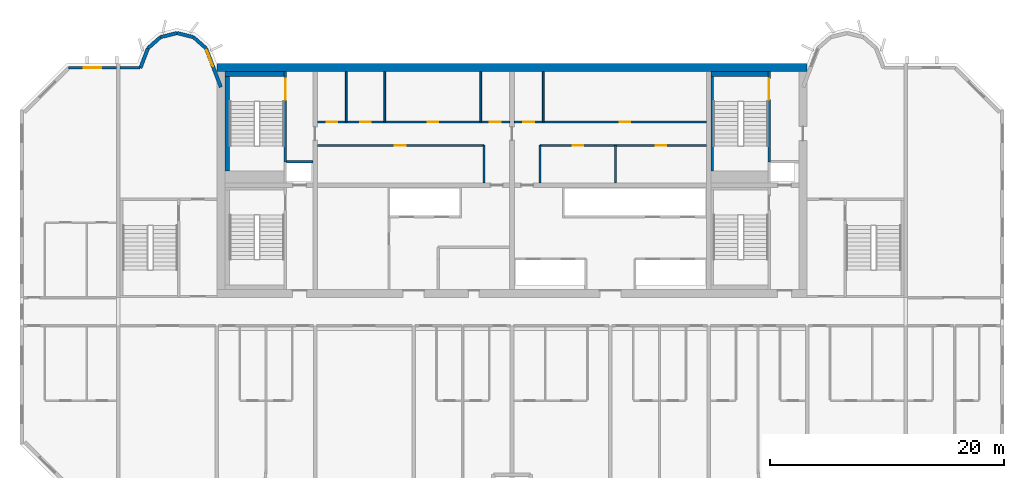
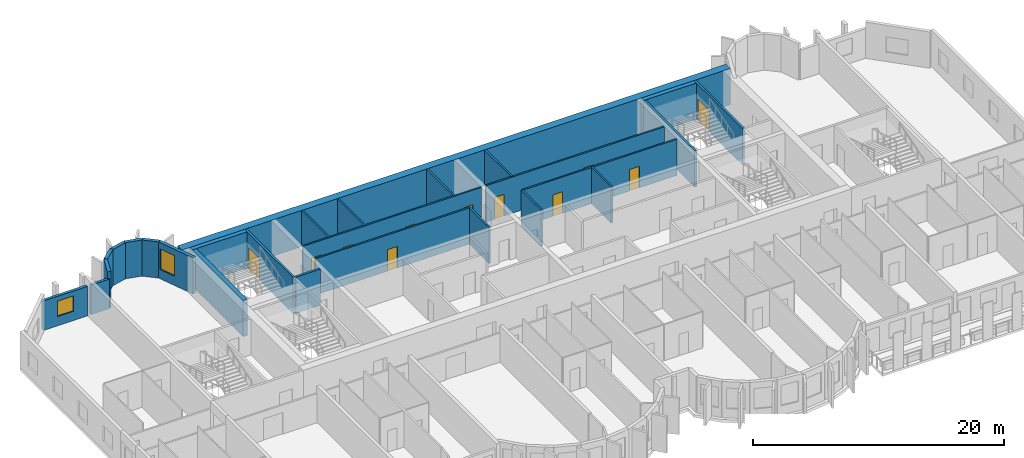
# One storey, part 7 of 13: 27 walls, 11 doors, 2 windows, 13 openings.
"""IFC4 building model written with IfcOpenShell, lengths in metres."""

import ifcopenshell
import ifcopenshell.guid

model = None  # the IFC model being written
_history = None  # IfcOwnerHistory: only IFC2X3 demands one
_inside = {}  # id of a spatial element -> (the spatial element, [elements in it])
_under = {}  # id of a project, library or spatial element -> (it, [spatial elements below it])
_declared = {}  # id of a project -> (the project, [libraries it declares])
_typed = {}  # id of a type object -> (the type object, [elements of that type])
_made_of = {}  # id of a material, layer set ... -> (it, [elements and type objects made of it])


def new_model(schema):
    """Start an empty IFC model of exactly this schema.

    Asked for "IFC4X3", IfcOpenShell would pick the latest addendum, in which some entities
    have other attributes; the version numbers below select the first issue.
    IFC2X3 requires an IfcOwnerHistory on every rooted entity: one is made here for all.
    """
    global model, _history
    if schema == "IFC4X3":
        model = ifcopenshell.file(schema_version=(4, 3, 0, 0))
    else:
        model = ifcopenshell.file(schema=schema)
    _inside.clear()
    _under.clear()
    _declared.clear()
    _typed.clear()
    _made_of.clear()
    _history = None
    if model.schema == "IFC2X3":
        org = make("IfcOrganization", Name="unknown")
        user = make(
            "IfcPersonAndOrganization",
            ThePerson=make("IfcPerson", FamilyName="unknown"),
            TheOrganization=org,
        )
        app = make(
            "IfcApplication",
            ApplicationDeveloper=org,
            Version="unknown",
            ApplicationFullName="unknown",
            ApplicationIdentifier="unknown",
        )
        _history = make(
            "IfcOwnerHistory",
            OwningUser=user,
            OwningApplication=app,
            ChangeAction="ADDED",
            CreationDate=0,
        )
    return model


def make(cls, **values):
    """One entity of the class cls with the attributes given. An attribute that is None is left unset."""
    return model.create_entity(
        cls, **{name: value for name, value in values.items() if value is not None}
    )


def rooted(cls, **values):
    """An entity with a GlobalId (a new one), such as an element, a storey or a relation."""
    return make(cls, GlobalId=ifcopenshell.guid.new(), OwnerHistory=_history, **values)


def si_unit(unit_type, name, prefix=None):
    """IfcSIUnit, for example si_unit("LENGTHUNIT", "METRE", prefix="MILLI")."""
    return make("IfcSIUnit", UnitType=unit_type, Prefix=prefix, Name=name)


def assignment(units):
    """IfcUnitAssignment: the units of a project."""
    return None if units is None else make("IfcUnitAssignment", Units=units)


def point(xyz):
    """IfcCartesianPoint."""
    return None if xyz is None else make("IfcCartesianPoint", Coordinates=xyz)


def direction(xyz):
    """IfcDirection."""
    return None if xyz is None else make("IfcDirection", DirectionRatios=xyz)


def frame(location, z_axis=None, x_axis=None):
    """IfcAxis2Placement3D, a coordinate frame: its origin and axes. An axis left out is left unset."""
    return make(
        "IfcAxis2Placement3D",
        Location=point(location),
        Axis=direction(z_axis),
        RefDirection=direction(x_axis),
    )


def frame_2d(location, x_axis=None):
    """IfcAxis2Placement2D, a coordinate frame in the plane: its origin and x axis."""
    return make(
        "IfcAxis2Placement2D", Location=point(location), RefDirection=direction(x_axis)
    )


def origin():
    """The frame at (0, 0, 0) with its axes left unset."""
    return frame((0.0, 0.0, 0.0))


def place(relative_to, where):
    """IfcLocalPlacement: puts the frame where relative to a parent placement (None: the world)."""
    return make(
        "IfcLocalPlacement", PlacementRelTo=relative_to, RelativePlacement=where
    )


def context(
    kind, dimensions, precision=None, world=None, true_north=None, identifier=None
):
    """IfcGeometricRepresentationContext, for example the 3D "Model" context."""
    return make(
        "IfcGeometricRepresentationContext",
        ContextIdentifier=identifier,
        ContextType=kind,
        CoordinateSpaceDimension=dimensions,
        Precision=precision,
        WorldCoordinateSystem=world,
        TrueNorth=true_north,
    )


def subcontext(parent, identifier, kind, view, scale=None):
    """IfcGeometricRepresentationSubContext, for example "Body" below "Model"."""
    return make(
        "IfcGeometricRepresentationSubContext",
        ContextIdentifier=identifier,
        ContextType=kind,
        ParentContext=parent,
        TargetScale=scale,
        TargetView=view,
    )


def project(units=None, contexts=None):
    """IfcProject with its units and contexts."""
    return rooted(
        "IfcProject",
        Name="project",
        RepresentationContexts=contexts,
        UnitsInContext=assignment(units),
    )


def spatial(cls, under=None, at=None, **own):
    """A site, building, storey or space (cls), placed at a placement, below another one or the project."""
    s = rooted(cls, ObjectPlacement=at, **own)
    if under is not None:
        _under.setdefault(under.id(), (under, []))[1].append(s)
    return s


def profile(cls, at=None, kind="AREA", **sizes):
    """A parametric profile (cls). Its sizes go by their IFC names, for example OverallWidth=200.0."""
    return make(cls, ProfileType=kind, Position=at, **sizes)


def rectangle(**sizes):
    """IfcRectangleProfileDef."""
    return profile("IfcRectangleProfileDef", **sizes)


def extrude(swept, where, along, depth):
    """IfcExtrudedAreaSolid: the profile swept, set in the frame where, extruded along a direction by depth."""
    return make(
        "IfcExtrudedAreaSolid",
        SweptArea=swept,
        Position=where,
        ExtrudedDirection=direction(along),
        Depth=depth,
    )


def shape(context_of_items, identifier, shape_type, items):
    """IfcShapeRepresentation: the items that make up one representation, for example the "Body"."""
    return make(
        "IfcShapeRepresentation",
        ContextOfItems=context_of_items,
        RepresentationIdentifier=identifier,
        RepresentationType=shape_type,
        Items=items,
    )


def source(mapping_origin, context_of_items, identifier, shape_type, items):
    """IfcRepresentationMap: a shape defined once, which mapped items show again and again."""
    return make(
        "IfcRepresentationMap",
        MappingOrigin=mapping_origin,
        MappedRepresentation=shape(context_of_items, identifier, shape_type, items),
    )


def transform(
    local_origin,
    x_axis=None,
    y_axis=None,
    z_axis=None,
    scale=None,
    scale2=None,
    scale3=None,
    uniform=True,
):
    """IfcCartesianTransformationOperator3D, or its non-uniform kind. x_axis, y_axis, z_axis: its Axis1, 2, 3."""
    if uniform:
        return make(
            "IfcCartesianTransformationOperator3D",
            Axis1=direction(x_axis),
            Axis2=direction(y_axis),
            LocalOrigin=point(local_origin),
            Scale=scale,
            Axis3=direction(z_axis),
        )
    return make(
        "IfcCartesianTransformationOperator3DnonUniform",
        Axis1=direction(x_axis),
        Axis2=direction(y_axis),
        LocalOrigin=point(local_origin),
        Scale=scale,
        Axis3=direction(z_axis),
        Scale2=scale2,
        Scale3=scale3,
    )


def mapped(mapping_source, mapping_target):
    """IfcMappedItem: shows the shape of a source again, moved by a transform."""
    return make(
        "IfcMappedItem", MappingSource=mapping_source, MappingTarget=mapping_target
    )


def material(Name=None, Category=None):
    """IfcMaterial."""
    return make("IfcMaterial", Name=Name, Category=Category)


def layer(
    of_material, thickness, ventilated=None, Name=None, Category=None, Priority=None
):
    """IfcMaterialLayer: one layer of a wall or slab, of a material (None: an air gap)."""
    return make(
        "IfcMaterialLayer",
        Material=of_material,
        LayerThickness=thickness,
        IsVentilated=ventilated,
        Name=Name,
        Category=Category,
        Priority=Priority,
    )


def layer_set(layers, Name=None):
    """IfcMaterialLayerSet."""
    return make("IfcMaterialLayerSet", MaterialLayers=layers, LayerSetName=Name)


def made_of(thing, what):
    """Note that an element or type object is made of a material, layer set ...; save() writes the relation."""
    if what is not None:
        _made_of.setdefault(what.id(), (what, []))[1].append(thing)
    return thing


def type_object(cls, material=None, **own):
    """A type object (cls), such as IfcWallType, which elements share."""
    return made_of(rooted(cls, **own), material)


def element(
    cls,
    number,
    at=None,
    inside=None,
    cuts=None,
    type_object=None,
    material=None,
    context=None,
    identifier="Body",
    shape_type=None,
    held_by="IfcProductDefinitionShape",
    body=None,
    shapes=None,
    **own,
):
    """One element of the class cls, such as IfcWall. Its Tag is "e" and its number.

    at: its placement. inside: the storey or other place that contains it. cuts: it is an
    opening in that element (IfcRelVoidsElement). A single representation is given by context,
    identifier, shape_type and body (its items); several are given by shapes. held_by: the class
    of the entity that holds the representations. save() writes the other relations.
    """
    e = rooted(cls, Tag="e%d" % number, ObjectPlacement=at, **own)
    if body is not None:
        shapes = [shape(context, identifier, shape_type, body)]
    if shapes is not None:
        e.Representation = make(held_by, Representations=shapes)
    if inside is not None:
        _inside.setdefault(inside.id(), (inside, []))[1].append(e)
    if cuts is not None:
        rooted(
            "IfcRelVoidsElement", RelatingBuildingElement=cuts, RelatedOpeningElement=e
        )
    if type_object is not None:
        _typed.setdefault(type_object.id(), (type_object, []))[1].append(e)
    return made_of(e, material)


def fill(opening, filler):
    """IfcRelFillsElement: the door or window that sits in an opening."""
    return rooted(
        "IfcRelFillsElement",
        RelatingOpeningElement=opening,
        RelatedBuildingElement=filler,
    )


def aggregate(whole, parts):
    """IfcRelAggregates: a whole, such as a stair, and the parts it consists of."""
    return rooted("IfcRelAggregates", RelatingObject=whole, RelatedObjects=parts)


def save(model, path):
    """Write the relations noted so far, then the file.

    IfcRelAggregates (storeys below a building ...), IfcRelContainedInSpatialStructure (elements
    in a storey), IfcRelDefinesByType, IfcRelAssociatesMaterial and IfcRelDeclares: one each for
    every whole, place, type object, material and project.
    """
    for whole, parts in _under.values():
        aggregate(whole, parts)
    for where, things in _inside.values():
        rooted(
            "IfcRelContainedInSpatialStructure",
            RelatedElements=things,
            RelatingStructure=where,
        )
    for kind, things in _typed.values():
        rooted("IfcRelDefinesByType", RelatedObjects=things, RelatingType=kind)
    for what, things in _made_of.values():
        rooted("IfcRelAssociatesMaterial", RelatedObjects=things, RelatingMaterial=what)
    for by, libraries in _declared.values():
        rooted("IfcRelDeclares", RelatingContext=by, RelatedDefinitions=libraries)
    model.write(path)


model = new_model("IFC4")

# Units and contexts
model_context = context("Model", 3, precision=1e-05, world=origin(), true_north=direction((0.0, 1.0)))
body_context = subcontext(model_context, "Body", "Model", "MODEL_VIEW")
ifc_project = project(units=[si_unit("LENGTHUNIT", "METRE"), si_unit("AREAUNIT", "SQUARE_METRE"), si_unit("VOLUMEUNIT", "CUBIC_METRE"), si_unit("PLANEANGLEUNIT", "RADIAN"), si_unit("MASSUNIT", "GRAM", prefix="KILO")], contexts=[model_context])

# Site, building, storey
site_placement = place(None, origin())
site = spatial("IfcSite", under=ifc_project, at=site_placement, CompositionType="ELEMENT")
building_placement = place(site_placement, origin())
building = spatial("IfcBuilding", under=site, at=building_placement, Name="Vanashikhar Sky Hotel", CompositionType="ELEMENT")
storey_placement = place(building_placement, frame((0.0, 0.0, 159.199951171875)))
storey = spatial("IfcBuildingStorey", under=building, at=storey_placement, Name="L38", CompositionType="ELEMENT", Elevation=159.199951171875)

# Wall
ifc_material_1 = material(Name="Concrete M60", Category="concrete")
ifc_layer_1 = layer(ifc_material_1, 0.699951171875)
ifc_layer_set_1 = layer_set([ifc_layer_1], Name="RC core shell wall 700 Concrete M60")
wall_type_1 = type_object("IfcWallType", Name="RC core shell wall 700 Concrete M60", PredefinedType="SHEAR", material=ifc_layer_set_1)
shared_shape_1 = source(origin(), body_context, "Body", "SweptSolid", [
    extrude(rectangle(XDim=50.400146484375, YDim=0.699951171875, at=frame_2d((25.2001953125, 0.0))), origin(), (0.0, 0.0, 1.0), 3.52001953125),
])
wall_1_placement = place(storey_placement, frame((25.199951171875, 41.64990234375, 0.0), z_axis=(0.0, 0.0, 1.0), x_axis=(1.0, 0.0, 0.0)))
element("IfcWall", 1, at=wall_1_placement, inside=storey, type_object=wall_type_1, Name="KW-L38-KN", PredefinedType="SHEAR", context=body_context, shape_type="MappedRepresentation", body=[
    mapped(shared_shape_1, transform((0.0, 0.0, 0.0), scale=1.0)),
])

# Wall, opening, window
ifc_material_2 = material(Name="Concrete M50", Category="concrete")
ifc_layer_2 = layer(ifc_material_2, 0.300048828125)
ifc_layer_set_2 = layer_set([ifc_layer_2], Name="Lobe wall 300")
wall_type_2 = type_object("IfcWallType", Name="Lobe wall 300", PredefinedType="SOLIDWALL", material=ifc_layer_set_2)
shared_shape_2 = source(origin(), body_context, "Body", "SweptSolid", [
    extrude(rectangle(XDim=3.55908203125, YDim=0.300048828125, at=frame_2d((1.779541015625, 0.0))), origin(), (0.0, 0.0, 1.0), 3.52001953125),
])
wall_2_placement = place(storey_placement, frame((25.550048828125, 39.968505859375, 0.0), z_axis=(0.0, 0.0, 1.0), x_axis=(-0.35779745313, 0.933799219604, 0.0)))
wall_2 = element("IfcWall", 2, at=wall_2_placement, inside=storey, type_object=wall_type_2, Name="Lobe wall", PredefinedType="SOLIDWALL", context=body_context, shape_type="MappedRepresentation", body=[
    mapped(shared_shape_2, transform((0.0, 0.0, 0.0), scale=1.0)),
])
shared_shape_3 = source(origin(), body_context, "Body", "SweptSolid", [
    extrude(rectangle(XDim=1.5, YDim=2.0, at=frame_2d((0.75, 1.0))), frame((0.0, 0.16015625, 0.0), z_axis=(0.0, -1.0, 0.0), x_axis=(1.0, 0.0, 0.0)), (0.0, 0.0, 1.0), 0.320068359375),
])
opening_1_placement = place(wall_2_placement, frame((1.9033203125, 0.0, 0.89990234375)))
opening_1 = element("IfcOpeningElement", 3, at=opening_1_placement, cuts=wall_2, Name="Opening WN-2", PredefinedType="OPENING", context=body_context, shape_type="MappedRepresentation", body=[
    mapped(shared_shape_3, transform((0.0, 0.0, 0.0), scale=1.0)),
])
ifc_material_3 = material(Name="Glass", Category="glass")
window_type_1 = type_object("IfcWindowType", Name="Lobe window 1500 x 2000", PartitioningType="SINGLE_PANEL", PredefinedType="WINDOW", material=ifc_material_3)
shared_shape_4 = source(origin(), body_context, "Body", "SweptSolid", [
    extrude(rectangle(XDim=1.5, YDim=2.0, at=frame_2d((0.75, 1.0))), frame((0.0, 0.030029296875, 0.0), z_axis=(0.0, -1.0, 0.0), x_axis=(1.0, 0.0, 0.0)), (0.0, 0.0, 1.0), 0.06005859375),
])
window_1_placement = place(opening_1_placement, origin())
window_1 = element("IfcWindow", 4, at=window_1_placement, inside=storey, type_object=window_type_1, Name="Window WN-2", OverallHeight=2.0, OverallWidth=1.5, PartitioningType="SINGLE_PANEL", PredefinedType="WINDOW", context=body_context, shape_type="MappedRepresentation", body=[
    mapped(shared_shape_4, transform((0.0, 0.0, 0.0), scale=1.0)),
])
fill(opening_1, window_1)

# Walls
shared_shape_5 = source(origin(), body_context, "Body", "SweptSolid", [
    extrude(rectangle(XDim=1.440185546875, YDim=0.300048828125, at=frame_2d((0.72021484375, 0.0))), origin(), (0.0, 0.0, 1.0), 3.52001953125),
])
wall_3_placement = place(storey_placement, frame((24.276611328125, 43.2919921875, 0.0), z_axis=(0.0, 0.0, 1.0), x_axis=(-0.749649827867, 0.661834673902, 0.0)))
element("IfcWall", 5, at=wall_3_placement, inside=storey, type_object=wall_type_2, Name="Lobe wall", PredefinedType="SOLIDWALL", context=body_context, shape_type="MappedRepresentation", body=[
    mapped(shared_shape_5, transform((0.0, 0.0, 0.0), scale=1.0)),
])
shared_shape_6 = source(origin(), body_context, "Body", "SweptSolid", [
    extrude(rectangle(XDim=1.4384765625, YDim=0.300048828125, at=frame_2d((0.71923828125, 0.0))), origin(), (0.0, 0.0, 1.0), 3.52001953125),
])
wall_4_placement = place(storey_placement, frame((23.197021484375, 44.2451171875, 0.0), z_axis=(0.0, 0.0, 1.0), x_axis=(-0.971152283879, 0.238460146601, 0.0)))
element("IfcWall", 6, at=wall_4_placement, inside=storey, type_object=wall_type_2, Name="Lobe wall", PredefinedType="SOLIDWALL", context=body_context, shape_type="MappedRepresentation", body=[
    mapped(shared_shape_6, transform((0.0, 0.0, 0.0), scale=1.0)),
])
shared_shape_7 = source(origin(), body_context, "Body", "SweptSolid", [
    extrude(rectangle(XDim=1.438720703125, YDim=0.300048828125, at=frame_2d((0.71923828125, 0.0))), origin(), (0.0, 0.0, 1.0), 3.52001953125),
])
wall_5_placement = place(storey_placement, frame((21.800048828125, 44.588134765625, 0.0), z_axis=(0.0, 0.0, 1.0), x_axis=(-0.971161932466, -0.238420848351, 0.0)))
element("IfcWall", 7, at=wall_5_placement, inside=storey, type_object=wall_type_2, Name="Lobe wall", PredefinedType="SOLIDWALL", context=body_context, shape_type="MappedRepresentation", body=[
    mapped(shared_shape_7, transform((0.0, 0.0, 0.0), scale=1.0)),
])
shared_shape_8 = source(origin(), body_context, "Body", "SweptSolid", [
    extrude(rectangle(XDim=1.43994140625, YDim=0.300048828125, at=frame_2d((0.719970703125, 0.0))), origin(), (0.0, 0.0, 1.0), 3.52001953125),
])
wall_6_placement = place(storey_placement, frame((20.40283203125, 44.2451171875, 0.0), z_axis=(0.0, 0.0, 1.0), x_axis=(-0.74957555648, -0.661918790432, 0.0)))
element("IfcWall", 8, at=wall_6_placement, inside=storey, type_object=wall_type_2, Name="Lobe wall", PredefinedType="SOLIDWALL", context=body_context, shape_type="MappedRepresentation", body=[
    mapped(shared_shape_8, transform((0.0, 0.0, 0.0), scale=1.0)),
])
shared_shape_9 = source(origin(), body_context, "Body", "SweptSolid", [
    extrude(rectangle(XDim=1.81201171875, YDim=0.300048828125, at=frame_2d((0.906005859375, 0.0))), origin(), (0.0, 0.0, 1.0), 3.52001953125),
])
wall_7_placement = place(storey_placement, frame((19.323486328125, 43.2919921875, 0.0), z_axis=(0.0, 0.0, 1.0), x_axis=(-0.357877270961, -0.93376863244, 0.0)))
element("IfcWall", 9, at=wall_7_placement, inside=storey, type_object=wall_type_2, Name="Lobe wall", PredefinedType="SOLIDWALL", context=body_context, shape_type="MappedRepresentation", body=[
    mapped(shared_shape_9, transform((0.0, 0.0, 0.0), scale=1.0)),
])

# Wall, opening, window
ifc_layer_3 = layer(ifc_material_2, 0.25)
ifc_layer_set_3 = layer_set([ifc_layer_3], Name="Rear and end board-marked wall 250")
wall_type_3 = type_object("IfcWallType", Name="Rear and end board-marked wall 250", PredefinedType="SOLIDWALL", material=ifc_layer_set_3)
shared_shape_10 = source(origin(), body_context, "Body", "SweptSolid", [
    extrude(rectangle(XDim=4.094482421875, YDim=0.25, at=frame_2d((2.04736328125, 0.0))), origin(), (0.0, 0.0, 1.0), 2.8701171875),
])
wall_8_placement = place(storey_placement, frame((16.64990234375, 41.625, 0.0), z_axis=(0.0, 0.0, 1.0), x_axis=(-1.0, 0.0, 0.0)))
wall_8 = element("IfcWall", 10, at=wall_8_placement, inside=storey, type_object=wall_type_3, Name="Rear board-marked wall", PredefinedType="SOLIDWALL", context=body_context, shape_type="MappedRepresentation", body=[
    mapped(shared_shape_10, transform((0.0, 0.0, 0.0), scale=1.0)),
])
shared_shape_11 = source(origin(), body_context, "Body", "SweptSolid", [
    extrude(rectangle(XDim=1.5, YDim=1.5, at=frame_2d((0.75, 0.75))), frame((0.0, 0.135009765625, 0.0), z_axis=(0.0, -1.0, 0.0), x_axis=(1.0, 0.0, 0.0)), (0.0, 0.0, 1.0), 0.27001953125),
])
opening_2_placement = place(wall_8_placement, frame((1.29736328125, 0.0, 0.89990234375)))
opening_2 = element("IfcOpeningElement", 11, at=opening_2_placement, cuts=wall_8, Name="Opening WN-1", PredefinedType="OPENING", context=body_context, shape_type="MappedRepresentation", body=[
    mapped(shared_shape_11, transform((0.0, 0.0, 0.0), scale=1.0)),
])
window_type_2 = type_object("IfcWindowType", Name="Window 1500 x 1500", PartitioningType="SINGLE_PANEL", PredefinedType="WINDOW", material=ifc_material_3)
shared_shape_12 = source(origin(), body_context, "Body", "SweptSolid", [
    extrude(rectangle(XDim=1.5, YDim=1.5, at=frame_2d((0.75, 0.75))), frame((0.0, 0.030029296875, 0.0), z_axis=(0.0, -1.0, 0.0), x_axis=(1.0, 0.0, 0.0)), (0.0, 0.0, 1.0), 0.06005859375),
])
window_2_placement = place(opening_2_placement, origin())
window_2 = element("IfcWindow", 12, at=window_2_placement, inside=storey, type_object=window_type_2, Name="Window WN-1", OverallHeight=1.5, OverallWidth=1.5, PartitioningType="SINGLE_PANEL", PredefinedType="WINDOW", context=body_context, shape_type="MappedRepresentation", body=[
    mapped(shared_shape_12, transform((0.0, 0.0, 0.0), scale=1.0)),
])
fill(opening_2, window_2)

# Walls
shared_shape_13 = source(origin(), body_context, "Body", "SweptSolid", [
    extrude(rectangle(XDim=1.7080078125, YDim=0.25, at=frame_2d((0.85400390625, 0.0))), origin(), (0.0, 0.0, 1.0), 2.8701171875),
])
wall_9_placement = place(storey_placement, frame((18.657958984375, 41.625, 0.0), z_axis=(0.0, 0.0, 1.0), x_axis=(-1.0, 0.0, 0.0)))
element("IfcWall", 13, at=wall_9_placement, inside=storey, type_object=wall_type_3, Name="Rear board-marked wall", PredefinedType="SOLIDWALL", context=body_context, shape_type="MappedRepresentation", body=[
    mapped(shared_shape_13, transform((0.0, 0.0, 0.0), scale=1.0)),
])
ifc_material_4 = material(Name="Concrete M40", Category="concrete")
ifc_layer_4 = layer(ifc_material_4, 0.199951171875)
ifc_layer_set_4 = layer_set([ifc_layer_4], Name="Shaft wall 200")
wall_type_4 = type_object("IfcWallType", Name="Shaft wall 200", PredefinedType="SOLIDWALL", material=ifc_layer_set_4)
shared_shape_14 = source(origin(), body_context, "Body", "SweptSolid", [
    extrude(rectangle(XDim=2.25, YDim=0.199951171875, at=frame_2d((1.125, 0.0))), origin(), (0.0, 0.0, 1.0), 3.52001953125),
])
wall_10_placement = place(storey_placement, frame((31.14990234375, 33.60009765625, 0.0), z_axis=(0.0, 0.0, 1.0), x_axis=(1.0, 0.0, 0.0)))
element("IfcWall", 14, at=wall_10_placement, inside=storey, type_object=wall_type_4, Name="Shaft wall 200", PredefinedType="SOLIDWALL", context=body_context, shape_type="MappedRepresentation", body=[
    mapped(shared_shape_14, transform((0.0, 0.0, 0.0), scale=1.0)),
])
ifc_layer_5 = layer(ifc_material_2, 0.199951171875)
ifc_layer_set_5 = layer_set([ifc_layer_5], Name="Stair infill wall 200")
wall_type_5 = type_object("IfcWallType", Name="Stair infill wall 200", PredefinedType="SOLIDWALL", material=ifc_layer_set_5)
shared_shape_15 = source(origin(), body_context, "Body", "SweptSolid", [
    extrude(rectangle(XDim=8.099853515625, YDim=0.199951171875, at=frame_2d((4.0498046875, 0.0))), origin(), (0.0, 0.0, 1.0), 3.52001953125),
])
wall_11_placement = place(storey_placement, frame((67.5, 32.800048828125, 0.0), z_axis=(0.0, 0.0, 1.0), x_axis=(0.0, 1.0, 0.0)))
element("IfcWall", 15, at=wall_11_placement, inside=storey, type_object=wall_type_5, Name="Stair infill wall 200", PredefinedType="SOLIDWALL", context=body_context, shape_type="MappedRepresentation", body=[
    mapped(shared_shape_15, transform((0.0, 0.0, 0.0), scale=1.0)),
])
ifc_material_5 = material(Name="Gypsum board partition")
ifc_layer_6 = layer(ifc_material_5, 0.14990234375)
ifc_layer_set_6 = layer_set([ifc_layer_6], Name="Service partition 150")
wall_type_6 = type_object("IfcWallType", Name="Service partition 150", PredefinedType="PARTITIONING", material=ifc_layer_set_6)
shared_shape_16 = source(origin(), body_context, "Body", "SweptSolid", [
    extrude(rectangle(XDim=3.199951171875, YDim=0.14990234375, at=frame_2d((1.60009765625, 0.0))), origin(), (0.0, 0.0, 1.0), 3.52001953125),
])
for number, where, z_axis, x_axis, name in (
    (16, (48.0, 31.800048828125, 0.0), (0.0, 0.0, 1.0), (0.0, 1.0, 0.0), "Service partition 150"),
    (17, (52.800048828125, 31.800048828125, 0.0), (0.0, 0.0, 1.0), (0.0, 1.0, 0.0), "Service partition 150"),
    (18, (59.23095703125, 31.800048828125, 0.0), (0.0, 0.0, 1.0), (0.0, 1.0, 0.0), "Service partition 150"),
):
    element("IfcWall", number, at=place(storey_placement, frame(where, z_axis=z_axis, x_axis=x_axis)), inside=storey, type_object=wall_type_6, Name=name, PredefinedType="PARTITIONING", context=body_context, shape_type="MappedRepresentation", body=[
        mapped(shared_shape_16, transform((0.0, 0.0, 0.0), scale=1.0)),
    ])

# Wall, opening, door
shared_shape_17 = source(origin(), body_context, "Body", "SweptSolid", [
    extrude(rectangle(XDim=14.199951171875, YDim=0.14990234375, at=frame_2d((7.10009765625, 0.0))), origin(), (0.0, 0.0, 1.0), 3.52001953125),
])
wall_12_placement = place(storey_placement, frame((33.800048828125, 35.0, 0.0), z_axis=(0.0, 0.0, 1.0), x_axis=(1.0, 0.0, 0.0)))
wall_12 = element("IfcWall", 19, at=wall_12_placement, inside=storey, type_object=wall_type_6, Name="Service partition 150", PredefinedType="PARTITIONING", context=body_context, shape_type="MappedRepresentation", body=[
    mapped(shared_shape_17, transform((0.0, 0.0, 0.0), scale=1.0)),
])
shared_shape_18 = source(origin(), body_context, "Body", "SweptSolid", [
    extrude(rectangle(XDim=0.89990234375, YDim=2.10009765625, at=frame_2d((0.449951171875, 1.050048828125))), frame((0.0, 0.0849609375, 0.0), z_axis=(0.0, -1.0, 0.0), x_axis=(1.0, 0.0, 0.0)), (0.0, 0.0, 1.0), 0.169921875),
])
opening_3_placement = place(wall_12_placement, frame((6.612060546875, 0.0, 0.0)))
opening_3 = element("IfcOpeningElement", 20, at=opening_3_placement, cuts=wall_12, Name="Opening DC-4-A", PredefinedType="OPENING", context=body_context, shape_type="MappedRepresentation", body=[
    mapped(shared_shape_18, transform((0.0, 0.0, 0.0), scale=1.0)),
])
ifc_material_6 = material(Name="Steel", Category="steel")
door_type_1 = type_object("IfcDoorType", Name="Service door 900 FD60", OperationType="NOTDEFINED", PredefinedType="DOOR", material=ifc_material_6)
shared_shape_19 = source(origin(), body_context, "Body", "SweptSolid", [
    extrude(rectangle(XDim=0.89990234375, YDim=2.10009765625, at=frame_2d((0.449951171875, 1.050048828125))), frame((0.0, 0.02490234375, 0.0), z_axis=(0.0, -1.0, 0.0), x_axis=(1.0, 0.0, 0.0)), (0.0, 0.0, 1.0), 0.050048828125),
])
door_1_placement = place(opening_3_placement, origin())
door_1 = element("IfcDoor", 21, at=door_1_placement, inside=storey, type_object=door_type_1, Name="Service door 900 FD60", OperationType="SINGLE_SWING_RIGHT", OverallHeight=2.10009765625, OverallWidth=0.89990234375, PredefinedType="DOOR", context=body_context, shape_type="MappedRepresentation", body=[
    mapped(shared_shape_19, transform((0.0, 0.0, 0.0), scale=1.0)),
])
fill(opening_3, door_1)

# Wall, openings, doors
wall_13_placement = place(storey_placement, frame((67.0, 35.0, 0.0), z_axis=(0.0, 0.0, 1.0), x_axis=(-1.0, 0.0, 0.0)))
wall_13 = element("IfcWall", 22, at=wall_13_placement, inside=storey, type_object=wall_type_6, Name="Service partition 150", PredefinedType="PARTITIONING", context=body_context, shape_type="MappedRepresentation", body=[
    mapped(shared_shape_17, transform((0.0, 0.0, 0.0), scale=1.0)),
])
opening_4_placement = place(wall_13_placement, frame((3.43408203125, 0.0, 0.0)))
opening_4 = element("IfcOpeningElement", 23, at=opening_4_placement, cuts=wall_13, Name="Opening DC-4-A", PredefinedType="OPENING", context=body_context, shape_type="MappedRepresentation", body=[
    mapped(shared_shape_18, transform((0.0, 0.0, 0.0), scale=1.0)),
])
opening_5_placement = place(wall_13_placement, frame((10.4970703125, 0.0, 0.0)))
opening_5 = element("IfcOpeningElement", 24, at=opening_5_placement, cuts=wall_13, Name="Opening DC-4-A", PredefinedType="OPENING", context=body_context, shape_type="MappedRepresentation", body=[
    mapped(shared_shape_18, transform((0.0, 0.0, 0.0), scale=1.0)),
])
door_2_placement = place(opening_4_placement, origin())
door_2 = element("IfcDoor", 25, at=door_2_placement, inside=storey, type_object=door_type_1, Name="Service door 900 FD60", OperationType="SINGLE_SWING_LEFT", OverallHeight=2.10009765625, OverallWidth=0.89990234375, PredefinedType="DOOR", context=body_context, shape_type="MappedRepresentation", body=[
    mapped(shared_shape_19, transform((0.0, 0.0, 0.0), scale=1.0)),
])
fill(opening_4, door_2)
door_3_placement = place(opening_5_placement, origin())
door_3 = element("IfcDoor", 26, at=door_3_placement, inside=storey, type_object=door_type_1, Name="Service door 900 FD60", OperationType="SINGLE_SWING_RIGHT", OverallHeight=2.10009765625, OverallWidth=0.89990234375, PredefinedType="DOOR", context=body_context, shape_type="MappedRepresentation", body=[
    mapped(shared_shape_19, transform((0.0, 0.0, 0.0), scale=1.0)),
])
fill(opening_5, door_3)

shared_shape_20 = source(origin(), body_context, "Body", "SweptSolid", [
    extrude(rectangle(XDim=16.39990234375, YDim=0.14990234375, at=frame_2d((8.199951171875, 0.0))), origin(), (0.0, 0.0, 1.0), 3.52001953125),
])
wall_14_placement = place(storey_placement, frame((33.800048828125, 37.0, 0.0), z_axis=(0.0, 0.0, 1.0), x_axis=(1.0, 0.0, 0.0)))
wall_14 = element("IfcWall", 27, at=wall_14_placement, inside=storey, type_object=wall_type_6, Name="Service partition 150", PredefinedType="PARTITIONING", context=body_context, shape_type="MappedRepresentation", body=[
    mapped(shared_shape_20, transform((0.0, 0.0, 0.0), scale=1.0)),
])
opening_6_placement = place(wall_14_placement, frame((0.780029296875, 0.0, 0.0)))
opening_6 = element("IfcOpeningElement", 28, at=opening_6_placement, cuts=wall_14, Name="Opening DC-4-A", PredefinedType="OPENING", context=body_context, shape_type="MappedRepresentation", body=[
    mapped(shared_shape_18, transform((0.0, 0.0, 0.0), scale=1.0)),
])
opening_7_placement = place(wall_14_placement, frame((3.64990234375, 0.0, 0.0)))
opening_7 = element("IfcOpeningElement", 29, at=opening_7_placement, cuts=wall_14, Name="Opening DC-4-A", PredefinedType="OPENING", context=body_context, shape_type="MappedRepresentation", body=[
    mapped(shared_shape_18, transform((0.0, 0.0, 0.0), scale=1.0)),
])
opening_8_placement = place(wall_14_placement, frame((9.389892578125, 0.0, 0.0)))
opening_8 = element("IfcOpeningElement", 30, at=opening_8_placement, cuts=wall_14, Name="Opening DC-4-A", PredefinedType="OPENING", context=body_context, shape_type="MappedRepresentation", body=[
    mapped(shared_shape_18, transform((0.0, 0.0, 0.0), scale=1.0)),
])
opening_9_placement = place(wall_14_placement, frame((14.719970703125, 0.0, 0.0)))
opening_9 = element("IfcOpeningElement", 31, at=opening_9_placement, cuts=wall_14, Name="Opening DC-4-A", PredefinedType="OPENING", context=body_context, shape_type="MappedRepresentation", body=[
    mapped(shared_shape_18, transform((0.0, 0.0, 0.0), scale=1.0)),
])
door_4_placement = place(opening_6_placement, origin())
door_4 = element("IfcDoor", 32, at=door_4_placement, inside=storey, type_object=door_type_1, Name="Service door 900 FD60", OperationType="SINGLE_SWING_RIGHT", OverallHeight=2.10009765625, OverallWidth=0.89990234375, PredefinedType="DOOR", context=body_context, shape_type="MappedRepresentation", body=[
    mapped(shared_shape_19, transform((0.0, 0.0, 0.0), scale=1.0)),
])
fill(opening_6, door_4)
door_5_placement = place(opening_7_placement, origin())
door_5 = element("IfcDoor", 33, at=door_5_placement, inside=storey, type_object=door_type_1, Name="Service door 900 FD60", OperationType="SINGLE_SWING_RIGHT", OverallHeight=2.10009765625, OverallWidth=0.89990234375, PredefinedType="DOOR", context=body_context, shape_type="MappedRepresentation", body=[
    mapped(shared_shape_19, transform((0.0, 0.0, 0.0), scale=1.0)),
])
fill(opening_7, door_5)
door_6_placement = place(opening_8_placement, origin())
door_6 = element("IfcDoor", 34, at=door_6_placement, inside=storey, type_object=door_type_1, Name="Service door 900 FD60", OperationType="SINGLE_SWING_RIGHT", OverallHeight=2.10009765625, OverallWidth=0.89990234375, PredefinedType="DOOR", context=body_context, shape_type="MappedRepresentation", body=[
    mapped(shared_shape_19, transform((0.0, 0.0, 0.0), scale=1.0)),
])
fill(opening_8, door_6)
door_7_placement = place(opening_9_placement, origin())
door_7 = element("IfcDoor", 35, at=door_7_placement, inside=storey, type_object=door_type_1, Name="Service door 900 FD60", OperationType="SINGLE_SWING_LEFT", OverallHeight=2.10009765625, OverallWidth=0.89990234375, PredefinedType="DOOR", context=body_context, shape_type="MappedRepresentation", body=[
    mapped(shared_shape_19, transform((0.0, 0.0, 0.0), scale=1.0)),
])
fill(opening_9, door_7)

wall_15_placement = place(storey_placement, frame((67.0, 37.0, 0.0), z_axis=(0.0, 0.0, 1.0), x_axis=(-1.0, 0.0, 0.0)))
wall_15 = element("IfcWall", 36, at=wall_15_placement, inside=storey, type_object=wall_type_6, Name="Service partition 150", PredefinedType="PARTITIONING", context=body_context, shape_type="MappedRepresentation", body=[
    mapped(shared_shape_20, transform((0.0, 0.0, 0.0), scale=1.0)),
])
opening_10_placement = place(wall_15_placement, frame((6.52001953125, 0.0, 0.0)))
opening_10 = element("IfcOpeningElement", 37, at=opening_10_placement, cuts=wall_15, Name="Opening DC-4-A", PredefinedType="OPENING", context=body_context, shape_type="MappedRepresentation", body=[
    mapped(shared_shape_18, transform((0.0, 0.0, 0.0), scale=1.0)),
])
opening_11_placement = place(wall_15_placement, frame((14.719970703125, 0.0, 0.0)))
opening_11 = element("IfcOpeningElement", 38, at=opening_11_placement, cuts=wall_15, Name="Opening DC-4-A", PredefinedType="OPENING", context=body_context, shape_type="MappedRepresentation", body=[
    mapped(shared_shape_18, transform((0.0, 0.0, 0.0), scale=1.0)),
])
door_8_placement = place(opening_10_placement, origin())
door_8 = element("IfcDoor", 39, at=door_8_placement, inside=storey, type_object=door_type_1, Name="Service door 900 FD60", OperationType="SINGLE_SWING_RIGHT", OverallHeight=2.10009765625, OverallWidth=0.89990234375, PredefinedType="DOOR", context=body_context, shape_type="MappedRepresentation", body=[
    mapped(shared_shape_19, transform((0.0, 0.0, 0.0), scale=1.0)),
])
fill(opening_10, door_8)
door_9_placement = place(opening_11_placement, origin())
door_9 = element("IfcDoor", 40, at=door_9_placement, inside=storey, type_object=door_type_1, Name="Service door 900 FD60", OperationType="SINGLE_SWING_LEFT", OverallHeight=2.10009765625, OverallWidth=0.89990234375, PredefinedType="DOOR", context=body_context, shape_type="MappedRepresentation", body=[
    mapped(shared_shape_19, transform((0.0, 0.0, 0.0), scale=1.0)),
])
fill(opening_11, door_9)

# Walls
shared_shape_21 = source(origin(), body_context, "Body", "SweptSolid", [
    extrude(rectangle(XDim=4.300048828125, YDim=0.14990234375, at=frame_2d((2.14990234375, 0.0))), origin(), (0.0, 0.0, 1.0), 3.52001953125),
])
for number, where, z_axis, x_axis, name in (
    (41, (36.260009765625, 37.0, 0.0), (0.0, 0.0, 1.0), (0.0, 1.0, 0.0), "Service partition 150"),
    (42, (39.5400390625, 37.0, 0.0), (0.0, 0.0, 1.0), (0.0, 1.0, 0.0), "Service partition 150"),
    (43, (47.739990234375, 37.0, 0.0), (0.0, 0.0, 1.0), (0.0, 1.0, 0.0), "Service partition 150"),
    (44, (53.06005859375, 37.0, 0.0), (0.0, 0.0, 1.0), (0.0, 1.0, 0.0), "Service partition 150"),
):
    element("IfcWall", number, at=place(storey_placement, frame(where, z_axis=z_axis, x_axis=x_axis)), inside=storey, type_object=wall_type_6, Name=name, PredefinedType="PARTITIONING", context=body_context, shape_type="MappedRepresentation", body=[
        mapped(shared_shape_21, transform((0.0, 0.0, 0.0), scale=1.0)),
    ])

# Wall, opening, door
ifc_layer_7 = layer(ifc_material_2, 0.199951171875)
ifc_layer_set_7 = layer_set([ifc_layer_7], Name="Stair wall 200")
wall_type_7 = type_object("IfcWallType", Name="Stair wall 200", PredefinedType="SOLIDWALL", material=ifc_layer_set_7)
shared_shape_22 = source(origin(), body_context, "Body", "SweptSolid", [
    extrude(rectangle(XDim=7.699951171875, YDim=0.199951171875, at=frame_2d((3.85009765625, 0.0))), origin(), (0.0, 0.0, 1.0), 3.52001953125),
])
wall_16_placement = place(storey_placement, frame((31.050048828125, 33.60009765625, 0.0), z_axis=(0.0, 0.0, 1.0), x_axis=(0.0, 1.0, 0.0)))
wall_16 = element("IfcWall", 45, at=wall_16_placement, inside=storey, type_object=wall_type_7, Name="Stair wall 200", PredefinedType="SOLIDWALL", context=body_context, shape_type="MappedRepresentation", body=[
    mapped(shared_shape_22, transform((0.0, 0.0, 0.0), scale=1.0)),
])
shared_shape_23 = source(origin(), body_context, "Body", "SweptSolid", [
    extrude(rectangle(XDim=1.800048828125, YDim=2.10009765625, at=frame_2d((0.89990234375, 1.050048828125))), frame((0.0, 0.10986328125, 0.0), z_axis=(0.0, -1.0, 0.0), x_axis=(1.0, 0.0, 0.0)), (0.0, 0.0, 1.0), 0.219970703125),
])
opening_12_placement = place(wall_16_placement, frame((5.300048828125, 0.0, 0.0)))
opening_12 = element("IfcOpeningElement", 46, at=opening_12_placement, cuts=wall_16, Name="Opening DC-1-A", PredefinedType="OPENING", context=body_context, shape_type="MappedRepresentation", body=[
    mapped(shared_shape_23, transform((0.0, 0.0, 0.0), scale=1.0)),
])
door_type_2 = type_object("IfcDoorType", Name="Stair door 1800 FD120", OperationType="NOTDEFINED", PredefinedType="DOOR", material=ifc_material_6)
shared_shape_24 = source(origin(), body_context, "Body", "SweptSolid", [
    extrude(rectangle(XDim=1.800048828125, YDim=2.10009765625, at=frame_2d((0.89990234375, 1.050048828125))), frame((0.0, 0.02490234375, 0.0), z_axis=(0.0, -1.0, 0.0), x_axis=(1.0, 0.0, 0.0)), (0.0, 0.0, 1.0), 0.050048828125),
])
door_10_placement = place(opening_12_placement, origin())
door_10 = element("IfcDoor", 47, at=door_10_placement, inside=storey, type_object=door_type_2, Name="Stair door 1800 FD120", OperationType="SINGLE_SWING_LEFT", OverallHeight=2.10009765625, OverallWidth=1.800048828125, PredefinedType="DOOR", context=body_context, shape_type="MappedRepresentation", body=[
    mapped(shared_shape_24, transform((0.0, 0.0, 0.0), scale=1.0)),
])
fill(opening_12, door_10)

wall_17_placement = place(storey_placement, frame((72.35009765625, 33.60009765625, 0.0), z_axis=(0.0, 0.0, 1.0), x_axis=(0.0, 1.0, 0.0)))
wall_17 = element("IfcWall", 48, at=wall_17_placement, inside=storey, type_object=wall_type_7, Name="Stair wall 200", PredefinedType="SOLIDWALL", context=body_context, shape_type="MappedRepresentation", body=[
    mapped(shared_shape_22, transform((0.0, 0.0, 0.0), scale=1.0)),
])
opening_13_placement = place(wall_17_placement, frame((5.300048828125, 0.0, 0.0)))
opening_13 = element("IfcOpeningElement", 49, at=opening_13_placement, cuts=wall_17, Name="Opening DC-1-A", PredefinedType="OPENING", context=body_context, shape_type="MappedRepresentation", body=[
    mapped(shared_shape_23, transform((0.0, 0.0, 0.0), scale=1.0)),
])
door_11_placement = place(opening_13_placement, origin())
door_11 = element("IfcDoor", 50, at=door_11_placement, inside=storey, type_object=door_type_2, Name="Stair door 1800 FD120", OperationType="SINGLE_SWING_LEFT", OverallHeight=2.10009765625, OverallWidth=1.800048828125, PredefinedType="DOOR", context=body_context, shape_type="MappedRepresentation", body=[
    mapped(shared_shape_24, transform((0.0, 0.0, 0.0), scale=1.0)),
])
fill(opening_13, door_11)

# Walls
ifc_layer_8 = layer(ifc_material_2, 0.39990234375)
ifc_layer_set_8 = layer_set([ifc_layer_8], Name="Stair infill wall 400")
wall_type_8 = type_object("IfcWallType", Name="Stair infill wall 400", PredefinedType="SOLIDWALL", material=ifc_layer_set_8)
shared_shape_25 = source(origin(), body_context, "Body", "SweptSolid", [
    extrude(rectangle(XDim=5.050048828125, YDim=0.39990234375, at=frame_2d((2.52490234375, 0.0))), origin(), (0.0, 0.0, 1.0), 3.52001953125),
])
wall_18_placement = place(storey_placement, frame((25.89990234375, 41.10009765625, 0.0), z_axis=(0.0, 0.0, 1.0), x_axis=(1.0, 0.0, 0.0)))
element("IfcWall", 51, at=wall_18_placement, inside=storey, type_object=wall_type_8, Name="Stair infill wall 400", PredefinedType="SOLIDWALL", context=body_context, shape_type="MappedRepresentation", body=[
    mapped(shared_shape_25, transform((0.0, 0.0, 0.0), scale=1.0)),
])
shared_shape_26 = source(origin(), body_context, "Body", "SweptSolid", [
    extrude(rectangle(XDim=8.099853515625, YDim=0.39990234375, at=frame_2d((4.0498046875, 0.0))), origin(), (0.0, 0.0, 1.0), 3.52001953125),
])
wall_19_placement = place(storey_placement, frame((26.10009765625, 32.800048828125, 0.0), z_axis=(0.0, 0.0, 1.0), x_axis=(0.0, 1.0, 0.0)))
element("IfcWall", 52, at=wall_19_placement, inside=storey, type_object=wall_type_8, Name="Stair infill wall 400", PredefinedType="SOLIDWALL", context=body_context, shape_type="MappedRepresentation", body=[
    mapped(shared_shape_26, transform((0.0, 0.0, 0.0), scale=1.0)),
])
shared_shape_27 = source(origin(), body_context, "Body", "SweptSolid", [
    extrude(rectangle(XDim=4.85009765625, YDim=0.39990234375, at=frame_2d((2.425048828125, 0.0))), origin(), (0.0, 0.0, 1.0), 3.52001953125),
])
wall_20_placement = place(storey_placement, frame((67.39990234375, 41.10009765625, 0.0), z_axis=(0.0, 0.0, 1.0), x_axis=(1.0, 0.0, 0.0)))
element("IfcWall", 53, at=wall_20_placement, inside=storey, type_object=wall_type_8, Name="Stair infill wall 400", PredefinedType="SOLIDWALL", context=body_context, shape_type="MappedRepresentation", body=[
    mapped(shared_shape_27, transform((0.0, 0.0, 0.0), scale=1.0)),
])

save(model, "model.ifc")
